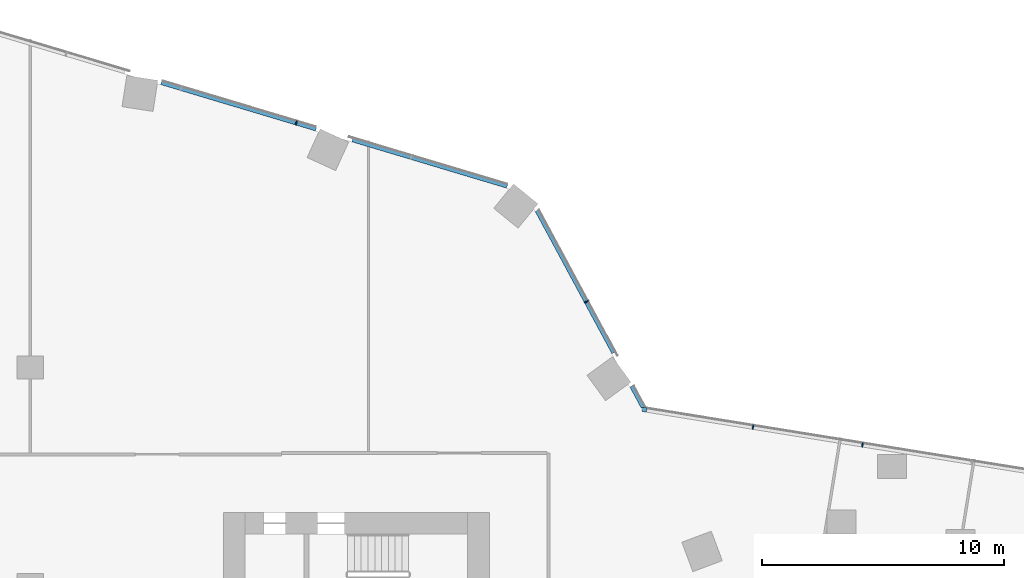
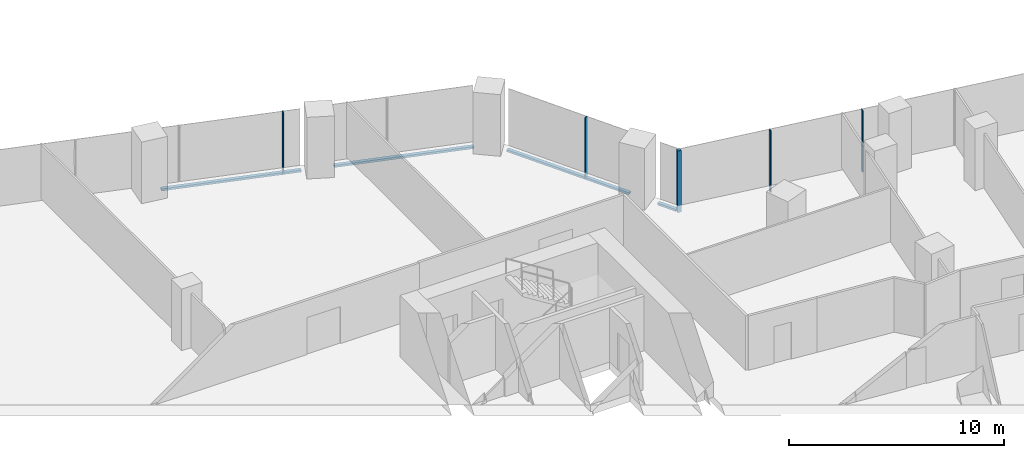
# One storey, part 13 of 34: 9 members, 3 elements without a shape of their own.
"""IFC4 building model written with IfcOpenShell, lengths in metres."""

from ifc_helpers import new_model, si_unit, direction, frame, origin, origin_2d, place, context, subcontext, project, spatial, rectangle, extrude, material, material_profile, profile_set, type_object, element, aggregate, save


model = new_model("IFC4")

# Units and contexts
model_context = context("Model", 3, precision=1e-05, world=origin(), true_north=direction((0.0, 1.0)))
body_context = subcontext(model_context, "Body", "Model", "MODEL_VIEW")
ifc_project = project(units=[si_unit("LENGTHUNIT", "METRE"), si_unit("AREAUNIT", "SQUARE_METRE"), si_unit("VOLUMEUNIT", "CUBIC_METRE"), si_unit("PLANEANGLEUNIT", "RADIAN"), si_unit("MASSUNIT", "GRAM", prefix="KILO")], contexts=[model_context])

# Site, building, storey
site_placement = place(None, origin())
site = spatial("IfcSite", under=ifc_project, at=site_placement, CompositionType="ELEMENT")
building_placement = place(site_placement, origin())
building = spatial("IfcBuilding", under=site, at=building_placement, Name="Orlundy Tower", CompositionType="ELEMENT")
storey_placement = place(building_placement, frame((0.0, 0.0, 130.699951171875)))
storey = spatial("IfcBuildingStorey", under=building, at=storey_placement, Name="L33", CompositionType="ELEMENT", Elevation=130.699951171875)

# Curtain wall, member
ifc_material_1 = material(Name="Aluminium bronze anodised", Category="aluminium")
curtain_wall_type = type_object("IfcCurtainWallType", Name="CW1 wall", PredefinedType="NOTDEFINED", material=ifc_material_1)
curtain_wall_1_placement = place(storey_placement, origin())
curtain_wall_1 = element("IfcCurtainWall", 1, at=curtain_wall_1_placement, inside=storey, type_object=curtain_wall_type, Name="CW1 run 06", PredefinedType="NOTDEFINED")
ifc_material_2 = material(Name="Aluminium bronze anodised", Category="aluminium")
ifc_material_profile_1 = material_profile(ifc_material_2, rectangle(XDim=0.179931640625, YDim=0.179931640625, at=origin_2d()), Name="CW1 corner post 180x180")
ifc_profile_set_1 = profile_set([ifc_material_profile_1], Name="Aluminium bronze anodised")
member_type_1 = type_object("IfcMemberType", Name="CW1 corner post 180x180", PredefinedType="MULLION", material=ifc_profile_set_1)
member_1_placement = place(storey_placement, frame((25.425048828125, 16.246826171875, -0.39990234375), z_axis=(0.0, 0.0, 1.0), x_axis=(0.159302095871, 0.987229883184, 0.0)))
member_1 = element("IfcMember", 2, at=member_1_placement, type_object=member_type_1, Name="CW1 mullion 26", PredefinedType="MULLION", context=body_context, shape_type="SweptSolid", body=[
    extrude(rectangle(XDim=0.179931640625, YDim=0.179931640625, at=origin_2d()), origin(), (0.0, 0.0, 1.0), 3.5),
])

curtain_wall_2_placement = place(storey_placement, origin())
curtain_wall_2 = element("IfcCurtainWall", 3, at=curtain_wall_2_placement, inside=storey, type_object=curtain_wall_type, Name="CW1 run 04", PredefinedType="NOTDEFINED")
ifc_material_3 = material(Name="Aluminium bronze anodised", Category="aluminium")
ifc_material_profile_2 = material_profile(ifc_material_3, rectangle(XDim=0.179931640625, YDim=0.050048828125, at=origin_2d()), Name="CW1 mullion 50x180")
ifc_profile_set_2 = profile_set([ifc_material_profile_2], Name="Aluminium bronze anodised")
member_type_2 = type_object("IfcMemberType", Name="CW1 mullion 50x180", PredefinedType="MULLION", material=ifc_profile_set_2)
member_2_placement = place(storey_placement, frame((11.010498046875, 28.113525390625, -0.39990234375), z_axis=(0.0, 0.0, 1.0), x_axis=(0.286816257107, 0.957985612971, 0.0)))
member_2 = element("IfcMember", 4, at=member_2_placement, type_object=member_type_2, Name="CW1 mullion 22", PredefinedType="MULLION", context=body_context, shape_type="SweptSolid", body=[
    extrude(rectangle(XDim=0.179931640625, YDim=0.050048828125, at=origin_2d()), origin(), (0.0, 0.0, 1.0), 3.5),
])

curtain_wall_3_placement = place(storey_placement, origin())
curtain_wall_3 = element("IfcCurtainWall", 5, at=curtain_wall_3_placement, inside=storey, type_object=curtain_wall_type, Name="CW1 run 05", PredefinedType="NOTDEFINED")
member_3_placement = place(storey_placement, frame((23.0166015625, 20.713134765625, -0.39990234375), z_axis=(0.0, 0.0, 1.0), x_axis=(0.880188659482, 0.4746239814, 0.0)))
member_3 = element("IfcMember", 6, at=member_3_placement, type_object=member_type_2, Name="CW1 mullion 25", PredefinedType="MULLION", context=body_context, shape_type="SweptSolid", body=[
    extrude(rectangle(XDim=0.179931640625, YDim=0.050048828125, at=origin_2d()), origin(), (0.0, 0.0, 1.0), 3.5),
])

# Member
member_4_placement = place(storey_placement, frame((29.91162109375, 15.52294921875, -0.39990234375), z_axis=(0.0, 0.0, 1.0), x_axis=(0.159302095871, 0.987229883184, 0.0)))
member_4 = element("IfcMember", 7, at=member_4_placement, type_object=member_type_2, Name="CW1 mullion 27", PredefinedType="MULLION", context=body_context, shape_type="SweptSolid", body=[
    extrude(rectangle(XDim=0.179931640625, YDim=0.050048828125, at=origin_2d()), origin(), (0.0, 0.0, 1.0), 3.5),
])

member_5_placement = place(storey_placement, frame((34.441650390625, 14.791748046875, -0.39990234375), z_axis=(0.0, 0.0, 1.0), x_axis=(0.159302095871, 0.987229883184, 0.0)))
member_5 = element("IfcMember", 8, at=member_5_placement, type_object=member_type_2, Name="CW1 mullion 28", PredefinedType="MULLION", context=body_context, shape_type="SweptSolid", body=[
    extrude(rectangle(XDim=0.179931640625, YDim=0.050048828125, at=origin_2d()), origin(), (0.0, 0.0, 1.0), 3.5),
])

aggregate(curtain_wall_1, [member_1, member_4, member_5])

ifc_material_4 = material(Name="Aluminium bronze anodised", Category="aluminium")
ifc_material_profile_3 = material_profile(ifc_material_4, rectangle(XDim=0.179931640625, YDim=0.1201171875, at=origin_2d()), Name="CW1 transom 180x120")
ifc_profile_set_3 = profile_set([ifc_material_profile_3], Name="Aluminium bronze anodised")
member_type_3 = type_object("IfcMemberType", Name="CW1 transom 180x120", PredefinedType="USERDEFINED", material=ifc_profile_set_3)
member_6_placement = place(storey_placement, frame((5.42333984375, 29.7861328125, -0.33984375), z_axis=(0.957990744373, -0.28679911732, 0.0), x_axis=(0.28679911732, 0.957990744373, 0.0)))
member_6 = element("IfcMember", 9, at=member_6_placement, type_object=member_type_3, Name="CW1 transom", ObjectType="TRANSOM", PredefinedType="USERDEFINED", context=body_context, shape_type="SweptSolid", body=[
    extrude(rectangle(XDim=0.179931640625, YDim=0.1201171875, at=origin_2d()), origin(), (0.0, 0.0, 1.0), 6.6943359375),
])

member_7_placement = place(storey_placement, frame((13.3359375, 27.417236328125, -0.33984375), z_axis=(0.957985946762, -0.28681514222, 0.0), x_axis=(0.28681514222, 0.957985946762, 0.0)))
member_7 = element("IfcMember", 10, at=member_7_placement, type_object=member_type_3, Name="CW1 transom", ObjectType="TRANSOM", PredefinedType="USERDEFINED", context=body_context, shape_type="SweptSolid", body=[
    extrude(rectangle(XDim=0.179931640625, YDim=0.1201171875, at=origin_2d()), origin(), (0.0, 0.0, 1.0), 6.685302734375),
])

aggregate(curtain_wall_2, [member_2, member_6, member_7])

member_8_placement = place(storey_placement, frame((20.980712890625, 24.489013671875, -0.33984375), z_axis=(0.474619880398, -0.880190870852, 0.0), x_axis=(0.880190870852, 0.474619880398, 0.0)))
member_8 = element("IfcMember", 11, at=member_8_placement, type_object=member_type_3, Name="CW1 transom", ObjectType="TRANSOM", PredefinedType="USERDEFINED", context=body_context, shape_type="SweptSolid", body=[
    extrude(rectangle(XDim=0.179931640625, YDim=0.1201171875, at=origin_2d()), origin(), (0.0, 0.0, 1.0), 6.689697265625),
])

member_9_placement = place(storey_placement, frame((24.896728515625, 17.226806640625, -0.33984375), z_axis=(0.474638444539, -0.880180860372, 0.0), x_axis=(0.880180860372, 0.474638444539, 0.0)))
member_9 = element("IfcMember", 12, at=member_9_placement, type_object=member_type_3, Name="CW1 transom", ObjectType="TRANSOM", PredefinedType="USERDEFINED", context=body_context, shape_type="SweptSolid", body=[
    extrude(rectangle(XDim=0.179931640625, YDim=0.1201171875, at=origin_2d()), origin(), (0.0, 0.0, 1.0), 1.0),
])

aggregate(curtain_wall_3, [member_3, member_8, member_9])

save(model, "model.ifc")
